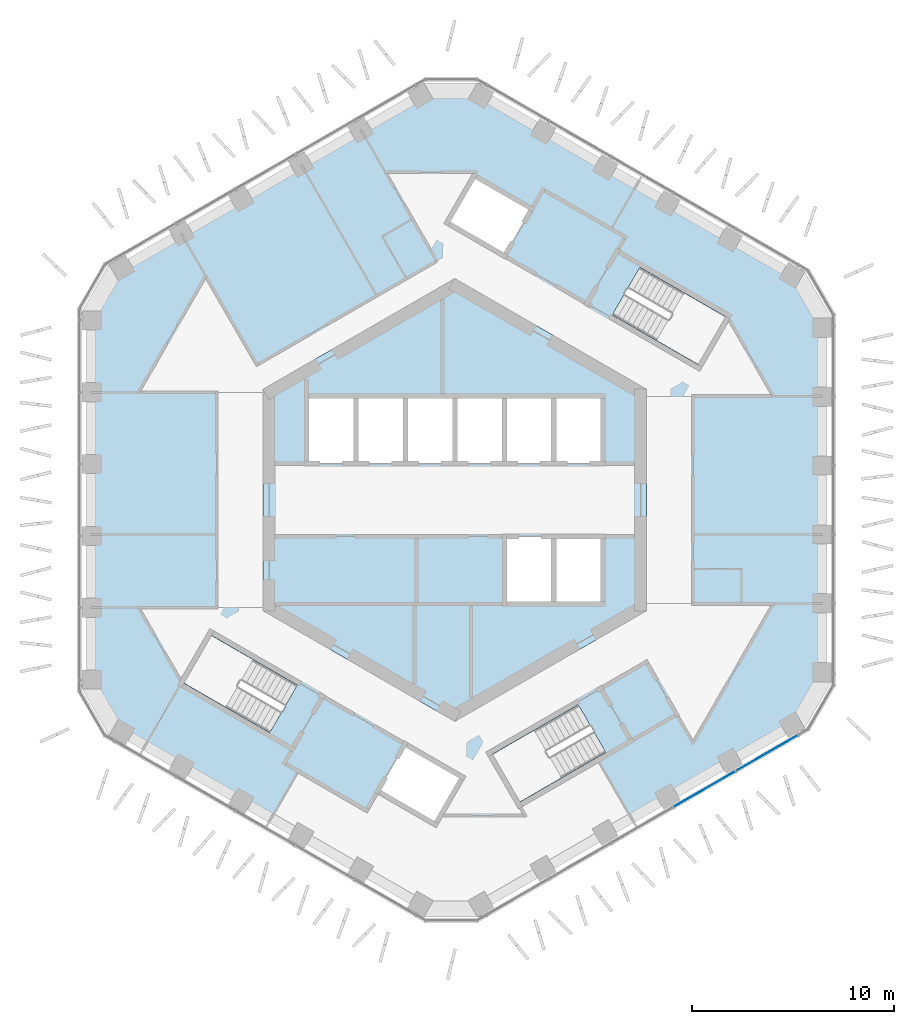
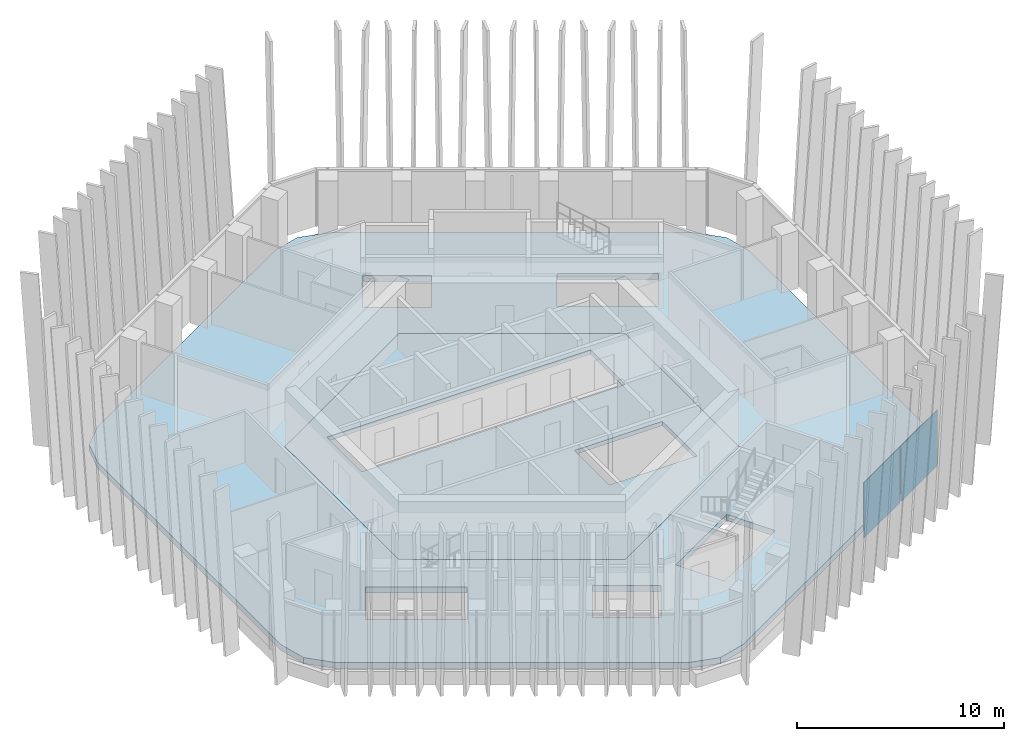
# One storey, part 10 of 20: 2 plates, 2 slabs, 1 element without a shape of its own.
"""IFC4 building model written with IfcOpenShell, lengths in metres."""

import ifcopenshell
import ifcopenshell.guid

model = None  # the IFC model being written
_history = None  # IfcOwnerHistory: only IFC2X3 demands one
_inside = {}  # id of a spatial element -> (the spatial element, [elements in it])
_under = {}  # id of a project, library or spatial element -> (it, [spatial elements below it])
_declared = {}  # id of a project -> (the project, [libraries it declares])
_typed = {}  # id of a type object -> (the type object, [elements of that type])
_made_of = {}  # id of a material, layer set ... -> (it, [elements and type objects made of it])


def new_model(schema):
    """Start an empty IFC model of exactly this schema.

    Asked for "IFC4X3", IfcOpenShell would pick the latest addendum, in which some entities
    have other attributes; the version numbers below select the first issue.
    IFC2X3 requires an IfcOwnerHistory on every rooted entity: one is made here for all.
    """
    global model, _history
    if schema == "IFC4X3":
        model = ifcopenshell.file(schema_version=(4, 3, 0, 0))
    else:
        model = ifcopenshell.file(schema=schema)
    _inside.clear()
    _under.clear()
    _declared.clear()
    _typed.clear()
    _made_of.clear()
    _history = None
    if model.schema == "IFC2X3":
        org = make("IfcOrganization", Name="unknown")
        user = make(
            "IfcPersonAndOrganization",
            ThePerson=make("IfcPerson", FamilyName="unknown"),
            TheOrganization=org,
        )
        app = make(
            "IfcApplication",
            ApplicationDeveloper=org,
            Version="unknown",
            ApplicationFullName="unknown",
            ApplicationIdentifier="unknown",
        )
        _history = make(
            "IfcOwnerHistory",
            OwningUser=user,
            OwningApplication=app,
            ChangeAction="ADDED",
            CreationDate=0,
        )
    return model


def make(cls, **values):
    """One entity of the class cls with the attributes given. An attribute that is None is left unset."""
    return model.create_entity(
        cls, **{name: value for name, value in values.items() if value is not None}
    )


def rooted(cls, **values):
    """An entity with a GlobalId (a new one), such as an element, a storey or a relation."""
    return make(cls, GlobalId=ifcopenshell.guid.new(), OwnerHistory=_history, **values)


def si_unit(unit_type, name, prefix=None):
    """IfcSIUnit, for example si_unit("LENGTHUNIT", "METRE", prefix="MILLI")."""
    return make("IfcSIUnit", UnitType=unit_type, Prefix=prefix, Name=name)


def assignment(units):
    """IfcUnitAssignment: the units of a project."""
    return None if units is None else make("IfcUnitAssignment", Units=units)


def point(xyz):
    """IfcCartesianPoint."""
    return None if xyz is None else make("IfcCartesianPoint", Coordinates=xyz)


def direction(xyz):
    """IfcDirection."""
    return None if xyz is None else make("IfcDirection", DirectionRatios=xyz)


def frame(location, z_axis=None, x_axis=None):
    """IfcAxis2Placement3D, a coordinate frame: its origin and axes. An axis left out is left unset."""
    return make(
        "IfcAxis2Placement3D",
        Location=point(location),
        Axis=direction(z_axis),
        RefDirection=direction(x_axis),
    )


def frame_2d(location, x_axis=None):
    """IfcAxis2Placement2D, a coordinate frame in the plane: its origin and x axis."""
    return make(
        "IfcAxis2Placement2D", Location=point(location), RefDirection=direction(x_axis)
    )


def origin():
    """The frame at (0, 0, 0) with its axes left unset."""
    return frame((0.0, 0.0, 0.0))


def origin_2d():
    """The frame at (0, 0) in the plane with its x axis left unset."""
    return frame_2d((0.0, 0.0))


def place(relative_to, where):
    """IfcLocalPlacement: puts the frame where relative to a parent placement (None: the world)."""
    return make(
        "IfcLocalPlacement", PlacementRelTo=relative_to, RelativePlacement=where
    )


def context(
    kind, dimensions, precision=None, world=None, true_north=None, identifier=None
):
    """IfcGeometricRepresentationContext, for example the 3D "Model" context."""
    return make(
        "IfcGeometricRepresentationContext",
        ContextIdentifier=identifier,
        ContextType=kind,
        CoordinateSpaceDimension=dimensions,
        Precision=precision,
        WorldCoordinateSystem=world,
        TrueNorth=true_north,
    )


def subcontext(parent, identifier, kind, view, scale=None):
    """IfcGeometricRepresentationSubContext, for example "Body" below "Model"."""
    return make(
        "IfcGeometricRepresentationSubContext",
        ContextIdentifier=identifier,
        ContextType=kind,
        ParentContext=parent,
        TargetScale=scale,
        TargetView=view,
    )


def project(units=None, contexts=None):
    """IfcProject with its units and contexts."""
    return rooted(
        "IfcProject",
        Name="project",
        RepresentationContexts=contexts,
        UnitsInContext=assignment(units),
    )


def spatial(cls, under=None, at=None, **own):
    """A site, building, storey or space (cls), placed at a placement, below another one or the project."""
    s = rooted(cls, ObjectPlacement=at, **own)
    if under is not None:
        _under.setdefault(under.id(), (under, []))[1].append(s)
    return s


def polyline(points):
    """IfcPolyline through the points."""
    return make("IfcPolyline", Points=[point(p) for p in points])


def profile(cls, at=None, kind="AREA", **sizes):
    """A parametric profile (cls). Its sizes go by their IFC names, for example OverallWidth=200.0."""
    return make(cls, ProfileType=kind, Position=at, **sizes)


def rectangle(**sizes):
    """IfcRectangleProfileDef."""
    return profile("IfcRectangleProfileDef", **sizes)


def outline(outer, holes=None, kind="AREA"):
    """IfcArbitraryClosedProfileDef: a profile drawn as a closed curve; with holes, ...WithVoids."""
    if holes is None:
        return make("IfcArbitraryClosedProfileDef", ProfileType=kind, OuterCurve=outer)
    return make(
        "IfcArbitraryProfileDefWithVoids",
        ProfileType=kind,
        OuterCurve=outer,
        InnerCurves=holes,
    )


def extrude(swept, where, along, depth):
    """IfcExtrudedAreaSolid: the profile swept, set in the frame where, extruded along a direction by depth."""
    return make(
        "IfcExtrudedAreaSolid",
        SweptArea=swept,
        Position=where,
        ExtrudedDirection=direction(along),
        Depth=depth,
    )


def shape(context_of_items, identifier, shape_type, items):
    """IfcShapeRepresentation: the items that make up one representation, for example the "Body"."""
    return make(
        "IfcShapeRepresentation",
        ContextOfItems=context_of_items,
        RepresentationIdentifier=identifier,
        RepresentationType=shape_type,
        Items=items,
    )


def material(Name=None, Category=None):
    """IfcMaterial."""
    return make("IfcMaterial", Name=Name, Category=Category)


def layer(
    of_material, thickness, ventilated=None, Name=None, Category=None, Priority=None
):
    """IfcMaterialLayer: one layer of a wall or slab, of a material (None: an air gap)."""
    return make(
        "IfcMaterialLayer",
        Material=of_material,
        LayerThickness=thickness,
        IsVentilated=ventilated,
        Name=Name,
        Category=Category,
        Priority=Priority,
    )


def layer_set(layers, Name=None):
    """IfcMaterialLayerSet."""
    return make("IfcMaterialLayerSet", MaterialLayers=layers, LayerSetName=Name)


def made_of(thing, what):
    """Note that an element or type object is made of a material, layer set ...; save() writes the relation."""
    if what is not None:
        _made_of.setdefault(what.id(), (what, []))[1].append(thing)
    return thing


def type_object(cls, material=None, **own):
    """A type object (cls), such as IfcWallType, which elements share."""
    return made_of(rooted(cls, **own), material)


def element(
    cls,
    number,
    at=None,
    inside=None,
    cuts=None,
    type_object=None,
    material=None,
    context=None,
    identifier="Body",
    shape_type=None,
    held_by="IfcProductDefinitionShape",
    body=None,
    shapes=None,
    **own,
):
    """One element of the class cls, such as IfcWall. Its Tag is "e" and its number.

    at: its placement. inside: the storey or other place that contains it. cuts: it is an
    opening in that element (IfcRelVoidsElement). A single representation is given by context,
    identifier, shape_type and body (its items); several are given by shapes. held_by: the class
    of the entity that holds the representations. save() writes the other relations.
    """
    e = rooted(cls, Tag="e%d" % number, ObjectPlacement=at, **own)
    if body is not None:
        shapes = [shape(context, identifier, shape_type, body)]
    if shapes is not None:
        e.Representation = make(held_by, Representations=shapes)
    if inside is not None:
        _inside.setdefault(inside.id(), (inside, []))[1].append(e)
    if cuts is not None:
        rooted(
            "IfcRelVoidsElement", RelatingBuildingElement=cuts, RelatedOpeningElement=e
        )
    if type_object is not None:
        _typed.setdefault(type_object.id(), (type_object, []))[1].append(e)
    return made_of(e, material)


def aggregate(whole, parts):
    """IfcRelAggregates: a whole, such as a stair, and the parts it consists of."""
    return rooted("IfcRelAggregates", RelatingObject=whole, RelatedObjects=parts)


def save(model, path):
    """Write the relations noted so far, then the file.

    IfcRelAggregates (storeys below a building ...), IfcRelContainedInSpatialStructure (elements
    in a storey), IfcRelDefinesByType, IfcRelAssociatesMaterial and IfcRelDeclares: one each for
    every whole, place, type object, material and project.
    """
    for whole, parts in _under.values():
        aggregate(whole, parts)
    for where, things in _inside.values():
        rooted(
            "IfcRelContainedInSpatialStructure",
            RelatedElements=things,
            RelatingStructure=where,
        )
    for kind, things in _typed.values():
        rooted("IfcRelDefinesByType", RelatedObjects=things, RelatingType=kind)
    for what, things in _made_of.values():
        rooted("IfcRelAssociatesMaterial", RelatedObjects=things, RelatingMaterial=what)
    for by, libraries in _declared.values():
        rooted("IfcRelDeclares", RelatingContext=by, RelatedDefinitions=libraries)
    model.write(path)


model = new_model("IFC4")

# Units and contexts
model_context = context("Model", 3, precision=1e-05, world=origin(), true_north=direction((0.0, 1.0)))
body_context = subcontext(model_context, "Body", "Model", "MODEL_VIEW")
ifc_project = project(units=[si_unit("LENGTHUNIT", "METRE"), si_unit("AREAUNIT", "SQUARE_METRE"), si_unit("VOLUMEUNIT", "CUBIC_METRE"), si_unit("PLANEANGLEUNIT", "RADIAN"), si_unit("MASSUNIT", "GRAM", prefix="KILO")], contexts=[model_context])

# Site, building, storey
site_placement = place(None, origin())
site = spatial("IfcSite", under=ifc_project, at=site_placement, CompositionType="ELEMENT")
building_placement = place(site_placement, origin())
building = spatial("IfcBuilding", under=site, at=building_placement, Name="Ayvan Gate Tower", CompositionType="ELEMENT")
storey_placement = place(building_placement, frame((0.0, 0.0, 162.89990234375)))
storey = spatial("IfcBuildingStorey", under=building, at=storey_placement, Name="L43", CompositionType="ELEMENT", Elevation=162.89990234375)

# Slabs
ifc_material_1 = material(Name="Concrete C40/50", Category="concrete")
ifc_layer_1 = layer(ifc_material_1, 0.35009765625)
ifc_layer_set_1 = layer_set([ifc_layer_1], Name="Concrete C40/50")
slab_type_1 = type_object("IfcSlabType", Name="Post-tensioned flat slab 350", PredefinedType="FLOOR", material=ifc_layer_set_1)
slab_1_placement = place(storey_placement, frame((0.0, 0.0, -0.349853515625)))
element("IfcSlab", 1, at=slab_1_placement, inside=storey, type_object=slab_type_1, Name="SL-L43", PredefinedType="FLOOR", context=body_context, shape_type="SweptSolid", body=[
    extrude(outline(polyline([(1.322021484375, -20.03125), (-0.177978515625, -20.43310546875), (-1.677978515625, -20.03125), (-16.508544921875, -11.46875), (-17.606689453125, -10.370849609375), (-18.008544921875, -8.870849609375), (-18.008544921875, 8.870849609375), (-17.606689453125, 10.370849609375), (-16.508544921875, 11.46875), (-1.677978515625, 20.03125), (-0.177978515625, 20.43310546875), (1.322021484375, 20.03125), (16.6865234375, 11.160400390625), (17.78466796875, 10.062255859375), (18.1865234375, 8.562255859375), (18.1865234375, -8.562255859375), (17.78466796875, -10.062255859375), (16.6865234375, -11.160400390625), (1.322021484375, -20.03125)]), holes=[polyline([(12.049560546875, 6.720458984375), (13.404541015625, 9.0673828125), (9.1611328125, 11.517578125), (7.80615234375, 9.170654296875), (12.049560546875, 6.720458984375)]), polyline([(9.5, 5.48486328125), (0.0, 10.9697265625), (-9.5, 5.48486328125), (-9.5, -5.48486328125), (0.0, -10.9697265625), (9.5, -5.48486328125), (9.5, 5.48486328125)]), polyline([(1.873779296875, -12.595458984375), (3.228759765625, -14.9423828125), (7.472412109375, -12.492431640625), (6.117431640625, -10.1455078125), (1.873779296875, -12.595458984375)]), polyline([(3.822509765625, 14.420654296875), (0.964599609375, 16.07080078125), (-0.385498046875, 13.732421875), (2.472412109375, 12.08251953125), (3.822509765625, 14.420654296875)]), polyline([(-0.7119140625, -15.633056640625), (0.385498046875, -13.732421875), (-2.472412109375, -12.08251953125), (-3.822509765625, -14.420654296875), (-0.964599609375, -16.07080078125), (-0.7119140625, -15.633056640625)]), polyline([(-9.1611328125, -11.517578125), (-7.80615234375, -9.170654296875), (-12.049560546875, -6.720458984375), (-13.404541015625, -9.0673828125), (-9.1611328125, -11.517578125)])]), origin(), (0.0, 0.0, 1.0), 0.349853515625),
])
ifc_layer_2 = layer(ifc_material_1, 0.25)
ifc_layer_set_2 = layer_set([ifc_layer_2], Name="Concrete C40/50")
slab_type_2 = type_object("IfcSlabType", Name="SL-CORE-250", PredefinedType="FLOOR", material=ifc_layer_set_2)
slab_2_placement = place(storey_placement, frame((0.0, 0.0, -0.25)))
element("IfcSlab", 2, at=slab_2_placement, inside=storey, type_object=slab_type_2, Name="CS-L43", PredefinedType="FLOOR", context=body_context, shape_type="SweptSolid", body=[
    extrude(outline(polyline([(9.5, -5.48486328125), (0.0, -10.9697265625), (-9.5, -5.48486328125), (-9.5, 5.48486328125), (0.0, 10.9697265625), (9.5, 5.48486328125), (9.5, -5.48486328125)]), holes=[polyline([(-7.35009765625, 5.14990234375), (-7.35009765625, 1.800048828125), (7.35009765625, 1.800048828125), (7.35009765625, 5.14990234375), (-7.35009765625, 5.14990234375)]), polyline([(2.449951171875, -1.800048828125), (2.449951171875, -5.14990234375), (7.35009765625, -5.14990234375), (7.35009765625, -1.800048828125), (2.449951171875, -1.800048828125)])]), origin(), (0.0, 0.0, 1.0), 0.25),
])

# Curtain wall, plates
ifc_material_2 = material(Name="Bronze anodised aluminium", Category="aluminium")
ifc_layer_3 = layer(ifc_material_2, 0.199951171875)
ifc_layer_set_3 = layer_set([ifc_layer_3], Name="Bronze anodised aluminium")
curtain_wall_type = type_object("IfcCurtainWallType", Name="Stick curtain wall CW-2", PredefinedType="NOTDEFINED", material=ifc_layer_set_3)
curtain_wall_placement = place(storey_placement, origin())
curtain_wall = element("IfcCurtainWall", 3, at=curtain_wall_placement, inside=storey, type_object=curtain_wall_type, Name="Stick curtain wall CW-2 L43", PredefinedType="NOTDEFINED")
ifc_material_3 = material(Name="Clear low-iron laminated glass", Category="glass")
ifc_layer_4 = layer(ifc_material_3, 0.028076171875)
ifc_layer_set_4 = layer_set([ifc_layer_4], Name="Clear low-iron laminated glass")
plate_type = type_object("IfcPlateType", Name="Stick curtain wall CW-2 glass panel", PredefinedType="CURTAIN_PANEL", material=ifc_layer_set_4)
plate_1_placement = place(storey_placement, frame((12.37060546875, -14.316162109375, 0.0), z_axis=(0.0, 0.0, 1.0), x_axis=(0.866025403784, 0.5, 0.0)))
plate_1 = element("IfcPlate", 4, at=plate_1_placement, type_object=plate_type, Name="CW-2 glass panel 4", PredefinedType="CURTAIN_PANEL", context=body_context, shape_type="SweptSolid", body=[
    extrude(rectangle(XDim=3.485107421875, YDim=0.028076171875, at=origin_2d()), origin(), (0.0, 0.0, 1.0), 3.280029296875),
])
plate_2_placement = place(storey_placement, frame((15.474853515625, -12.52392578125, 0.0), z_axis=(0.0, 0.0, 1.0), x_axis=(0.866025403784, 0.5, 0.0)))
plate_2 = element("IfcPlate", 5, at=plate_2_placement, type_object=plate_type, Name="CW-2 glass panel 5", PredefinedType="CURTAIN_PANEL", context=body_context, shape_type="SweptSolid", body=[
    extrude(rectangle(XDim=3.5439453125, YDim=0.028076171875, at=origin_2d()), origin(), (0.0, 0.0, 1.0), 3.280029296875),
])
aggregate(curtain_wall, [plate_1, plate_2])

save(model, "model.ifc")
